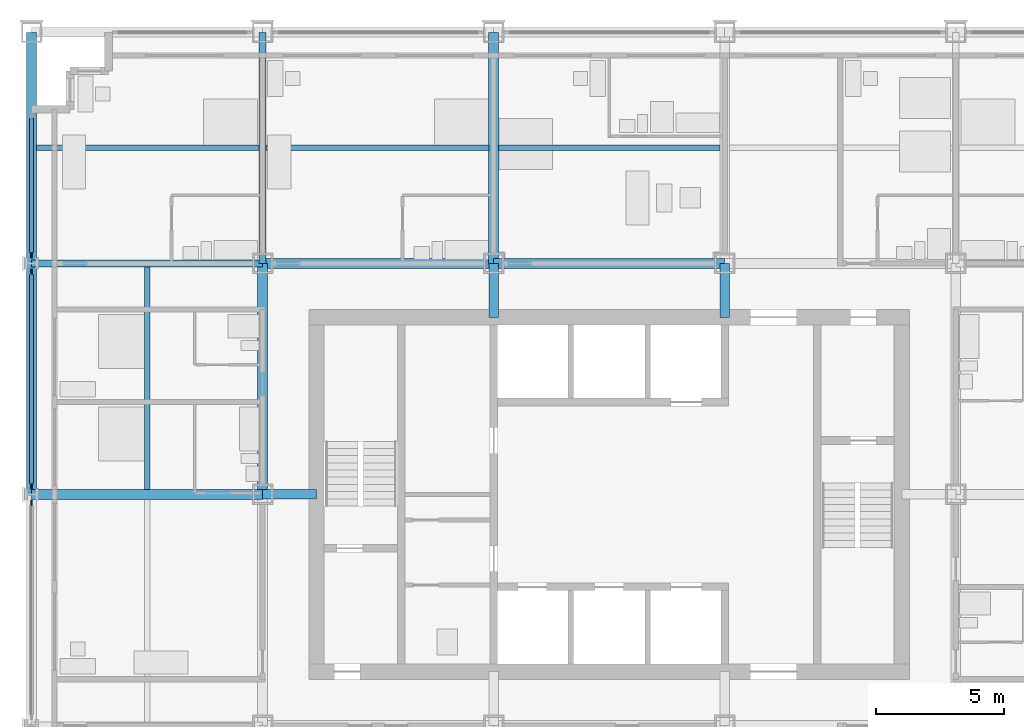
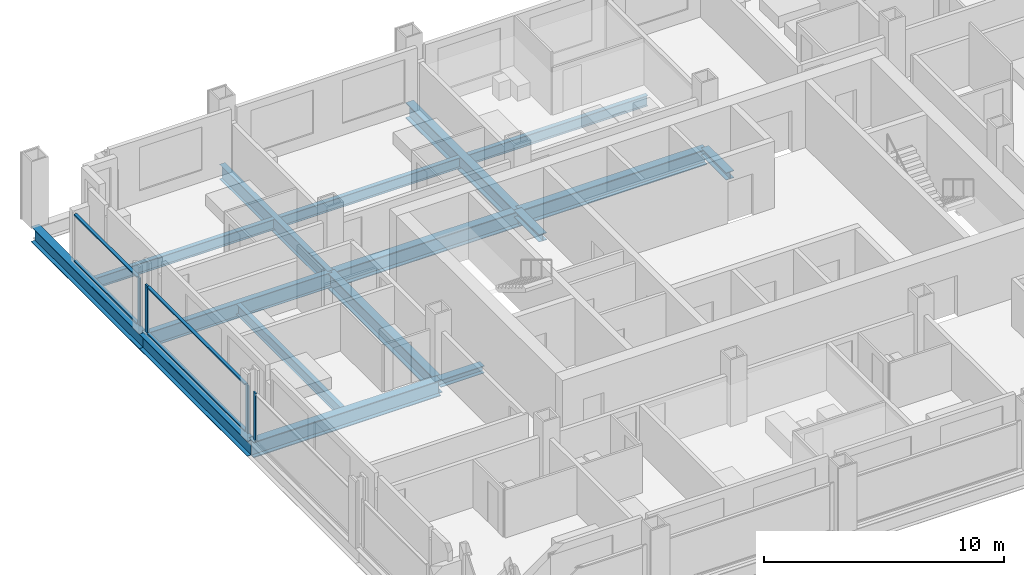
# One storey, part 4 of 16: 13 beams, 11 members, 3 elements without a shape of their own.
"""IFC4 building model written with IfcOpenShell, lengths in metres."""

import ifcopenshell
import ifcopenshell.guid

model = None  # the IFC model being written
_history = None  # IfcOwnerHistory: only IFC2X3 demands one
_inside = {}  # id of a spatial element -> (the spatial element, [elements in it])
_under = {}  # id of a project, library or spatial element -> (it, [spatial elements below it])
_declared = {}  # id of a project -> (the project, [libraries it declares])
_typed = {}  # id of a type object -> (the type object, [elements of that type])
_made_of = {}  # id of a material, layer set ... -> (it, [elements and type objects made of it])


def new_model(schema):
    """Start an empty IFC model of exactly this schema.

    Asked for "IFC4X3", IfcOpenShell would pick the latest addendum, in which some entities
    have other attributes; the version numbers below select the first issue.
    IFC2X3 requires an IfcOwnerHistory on every rooted entity: one is made here for all.
    """
    global model, _history
    if schema == "IFC4X3":
        model = ifcopenshell.file(schema_version=(4, 3, 0, 0))
    else:
        model = ifcopenshell.file(schema=schema)
    _inside.clear()
    _under.clear()
    _declared.clear()
    _typed.clear()
    _made_of.clear()
    _history = None
    if model.schema == "IFC2X3":
        org = make("IfcOrganization", Name="unknown")
        user = make(
            "IfcPersonAndOrganization",
            ThePerson=make("IfcPerson", FamilyName="unknown"),
            TheOrganization=org,
        )
        app = make(
            "IfcApplication",
            ApplicationDeveloper=org,
            Version="unknown",
            ApplicationFullName="unknown",
            ApplicationIdentifier="unknown",
        )
        _history = make(
            "IfcOwnerHistory",
            OwningUser=user,
            OwningApplication=app,
            ChangeAction="ADDED",
            CreationDate=0,
        )
    return model


def make(cls, **values):
    """One entity of the class cls with the attributes given. An attribute that is None is left unset."""
    return model.create_entity(
        cls, **{name: value for name, value in values.items() if value is not None}
    )


def rooted(cls, **values):
    """An entity with a GlobalId (a new one), such as an element, a storey or a relation."""
    return make(cls, GlobalId=ifcopenshell.guid.new(), OwnerHistory=_history, **values)


def si_unit(unit_type, name, prefix=None):
    """IfcSIUnit, for example si_unit("LENGTHUNIT", "METRE", prefix="MILLI")."""
    return make("IfcSIUnit", UnitType=unit_type, Prefix=prefix, Name=name)


def assignment(units):
    """IfcUnitAssignment: the units of a project."""
    return None if units is None else make("IfcUnitAssignment", Units=units)


def point(xyz):
    """IfcCartesianPoint."""
    return None if xyz is None else make("IfcCartesianPoint", Coordinates=xyz)


def direction(xyz):
    """IfcDirection."""
    return None if xyz is None else make("IfcDirection", DirectionRatios=xyz)


def frame(location, z_axis=None, x_axis=None):
    """IfcAxis2Placement3D, a coordinate frame: its origin and axes. An axis left out is left unset."""
    return make(
        "IfcAxis2Placement3D",
        Location=point(location),
        Axis=direction(z_axis),
        RefDirection=direction(x_axis),
    )


def frame_2d(location, x_axis=None):
    """IfcAxis2Placement2D, a coordinate frame in the plane: its origin and x axis."""
    return make(
        "IfcAxis2Placement2D", Location=point(location), RefDirection=direction(x_axis)
    )


def origin():
    """The frame at (0, 0, 0) with its axes left unset."""
    return frame((0.0, 0.0, 0.0))


def origin_2d():
    """The frame at (0, 0) in the plane with its x axis left unset."""
    return frame_2d((0.0, 0.0))


def place(relative_to, where):
    """IfcLocalPlacement: puts the frame where relative to a parent placement (None: the world)."""
    return make(
        "IfcLocalPlacement", PlacementRelTo=relative_to, RelativePlacement=where
    )


def context(
    kind, dimensions, precision=None, world=None, true_north=None, identifier=None
):
    """IfcGeometricRepresentationContext, for example the 3D "Model" context."""
    return make(
        "IfcGeometricRepresentationContext",
        ContextIdentifier=identifier,
        ContextType=kind,
        CoordinateSpaceDimension=dimensions,
        Precision=precision,
        WorldCoordinateSystem=world,
        TrueNorth=true_north,
    )


def subcontext(parent, identifier, kind, view, scale=None):
    """IfcGeometricRepresentationSubContext, for example "Body" below "Model"."""
    return make(
        "IfcGeometricRepresentationSubContext",
        ContextIdentifier=identifier,
        ContextType=kind,
        ParentContext=parent,
        TargetScale=scale,
        TargetView=view,
    )


def project(units=None, contexts=None):
    """IfcProject with its units and contexts."""
    return rooted(
        "IfcProject",
        Name="project",
        RepresentationContexts=contexts,
        UnitsInContext=assignment(units),
    )


def spatial(cls, under=None, at=None, **own):
    """A site, building, storey or space (cls), placed at a placement, below another one or the project."""
    s = rooted(cls, ObjectPlacement=at, **own)
    if under is not None:
        _under.setdefault(under.id(), (under, []))[1].append(s)
    return s


def profile(cls, at=None, kind="AREA", **sizes):
    """A parametric profile (cls). Its sizes go by their IFC names, for example OverallWidth=200.0."""
    return make(cls, ProfileType=kind, Position=at, **sizes)


def rectangle(**sizes):
    """IfcRectangleProfileDef."""
    return profile("IfcRectangleProfileDef", **sizes)


def i_section(**sizes):
    """IfcIShapeProfileDef."""
    return profile("IfcIShapeProfileDef", **sizes)


def extrude(swept, where, along, depth):
    """IfcExtrudedAreaSolid: the profile swept, set in the frame where, extruded along a direction by depth."""
    return make(
        "IfcExtrudedAreaSolid",
        SweptArea=swept,
        Position=where,
        ExtrudedDirection=direction(along),
        Depth=depth,
    )


def shape(context_of_items, identifier, shape_type, items):
    """IfcShapeRepresentation: the items that make up one representation, for example the "Body"."""
    return make(
        "IfcShapeRepresentation",
        ContextOfItems=context_of_items,
        RepresentationIdentifier=identifier,
        RepresentationType=shape_type,
        Items=items,
    )


def material(Name=None, Category=None):
    """IfcMaterial."""
    return make("IfcMaterial", Name=Name, Category=Category)


def material_profile(
    of_material, cross_section, Name=None, Category=None, Priority=None
):
    """IfcMaterialProfile: a cross section and its material."""
    return make(
        "IfcMaterialProfile",
        Name=Name,
        Material=of_material,
        Profile=cross_section,
        Priority=Priority,
        Category=Category,
    )


def profile_set(profiles, Name=None, composite=None):
    """IfcMaterialProfileSet."""
    return make(
        "IfcMaterialProfileSet",
        Name=Name,
        MaterialProfiles=profiles,
        CompositeProfile=composite,
    )


def made_of(thing, what):
    """Note that an element or type object is made of a material, layer set ...; save() writes the relation."""
    if what is not None:
        _made_of.setdefault(what.id(), (what, []))[1].append(thing)
    return thing


def type_object(cls, material=None, **own):
    """A type object (cls), such as IfcWallType, which elements share."""
    return made_of(rooted(cls, **own), material)


def element(
    cls,
    number,
    at=None,
    inside=None,
    cuts=None,
    type_object=None,
    material=None,
    context=None,
    identifier="Body",
    shape_type=None,
    held_by="IfcProductDefinitionShape",
    body=None,
    shapes=None,
    **own,
):
    """One element of the class cls, such as IfcWall. Its Tag is "e" and its number.

    at: its placement. inside: the storey or other place that contains it. cuts: it is an
    opening in that element (IfcRelVoidsElement). A single representation is given by context,
    identifier, shape_type and body (its items); several are given by shapes. held_by: the class
    of the entity that holds the representations. save() writes the other relations.
    """
    e = rooted(cls, Tag="e%d" % number, ObjectPlacement=at, **own)
    if body is not None:
        shapes = [shape(context, identifier, shape_type, body)]
    if shapes is not None:
        e.Representation = make(held_by, Representations=shapes)
    if inside is not None:
        _inside.setdefault(inside.id(), (inside, []))[1].append(e)
    if cuts is not None:
        rooted(
            "IfcRelVoidsElement", RelatingBuildingElement=cuts, RelatedOpeningElement=e
        )
    if type_object is not None:
        _typed.setdefault(type_object.id(), (type_object, []))[1].append(e)
    return made_of(e, material)


def aggregate(whole, parts):
    """IfcRelAggregates: a whole, such as a stair, and the parts it consists of."""
    return rooted("IfcRelAggregates", RelatingObject=whole, RelatedObjects=parts)


def save(model, path):
    """Write the relations noted so far, then the file.

    IfcRelAggregates (storeys below a building ...), IfcRelContainedInSpatialStructure (elements
    in a storey), IfcRelDefinesByType, IfcRelAssociatesMaterial and IfcRelDeclares: one each for
    every whole, place, type object, material and project.
    """
    for whole, parts in _under.values():
        aggregate(whole, parts)
    for where, things in _inside.values():
        rooted(
            "IfcRelContainedInSpatialStructure",
            RelatedElements=things,
            RelatingStructure=where,
        )
    for kind, things in _typed.values():
        rooted("IfcRelDefinesByType", RelatedObjects=things, RelatingType=kind)
    for what, things in _made_of.values():
        rooted("IfcRelAssociatesMaterial", RelatedObjects=things, RelatingMaterial=what)
    for by, libraries in _declared.values():
        rooted("IfcRelDeclares", RelatingContext=by, RelatedDefinitions=libraries)
    model.write(path)


model = new_model("IFC4")

# Units and contexts
model_context = context("Model", 3, precision=1e-05, world=origin(), true_north=direction((0.0, 1.0)))
body_context = subcontext(model_context, "Body", "Model", "MODEL_VIEW")
ifc_project = project(units=[si_unit("LENGTHUNIT", "METRE"), si_unit("AREAUNIT", "SQUARE_METRE"), si_unit("VOLUMEUNIT", "CUBIC_METRE"), si_unit("PLANEANGLEUNIT", "RADIAN"), si_unit("MASSUNIT", "GRAM", prefix="KILO")], contexts=[model_context])

# Site, building, storey
site_placement = place(None, origin())
site = spatial("IfcSite", under=ifc_project, at=site_placement, CompositionType="ELEMENT")
building_placement = place(site_placement, origin())
building = spatial("IfcBuilding", under=site, at=building_placement, Name="Loomwork Tower", CompositionType="ELEMENT")
storey_placement = place(building_placement, frame((0.0, 0.0, 121.39990234375)))
storey = spatial("IfcBuildingStorey", under=building, at=storey_placement, Name="L32", CompositionType="ELEMENT", Elevation=121.39990234375)

# Beams
ifc_material_1 = material(Name="Steel ASTM A992", Category="steel")
ifc_material_profile_1 = material_profile(ifc_material_1, i_section(OverallWidth=0.383544921875, OverallDepth=0.794921875, WebThickness=0.02099609375, FlangeThickness=0.0380859375, at=origin_2d()), Name="W30x235")
ifc_profile_set_1 = profile_set([ifc_material_profile_1], Name="Steel ASTM A992")
beam_type_1 = type_object("IfcBeamType", Name="CORE FLANK GIRDER W30x235", PredefinedType="BEAM", material=ifc_profile_set_1)
for number, where, z_axis, x_axis, name in (
    (1, (0.0, 18.0, -0.597412109375), (1.0, 0.0, 0.0), (0.0, 1.0, 0.0), "Core Flank Girder F/2-F/3 L32"),
    (2, (9.0, 27.0, -0.597412109375), (1.0, 0.0, 0.0), (0.0, 1.0, 0.0), "Core Flank Girder G/3-G/4 L32"),
    (3, (18.0, 27.0, -0.597412109375), (1.0, 0.0, 0.0), (0.0, 1.0, 0.0), "Core Flank Girder G/4-G/5 L32"),
    (4, (9.0, 18.0, -0.597412109375), (0.0, 1.0, 0.0), (-1.0, 0.0, 0.0), "Core Flank Girder F/3-G/3 L32"),
    (5, (18.0, 27.0, -0.597412109375), (0.0, 1.0, 0.0), (-1.0, 0.0, 0.0), "Core Flank Girder G/4-H/4 L32"),
):
    element("IfcBeam", number, at=place(storey_placement, frame(where, z_axis=z_axis, x_axis=x_axis)), inside=storey, type_object=beam_type_1, Name=name, PredefinedType="BEAM", context=body_context, shape_type="SweptSolid", body=[
        extrude(i_section(OverallWidth=0.383544921875, OverallDepth=0.794921875, WebThickness=0.02099609375, FlangeThickness=0.0380859375, at=origin_2d()), origin(), (0.0, 0.0, 1.0), 9.0),
    ])

# Members
ifc_material_2 = material(Name="Steel ASTM A992", Category="steel")
ifc_material_profile_2 = material_profile(ifc_material_2, i_section(OverallWidth=0.373291015625, OverallDepth=0.373291015625, WebThickness=0.016357421875, FlangeThickness=0.026123046875, at=origin_2d()), Name="W14x132")
ifc_profile_set_2 = profile_set([ifc_material_profile_2], Name="Steel ASTM A992")
member_type_1 = type_object("IfcMemberType", Name="CORE LINK STRUT W14x132", PredefinedType="STRUT", material=ifc_profile_set_2)
for number, where, z_axis, x_axis, name in (
    (6, (27.0, 27.0, -0.386474609375), (0.0, -1.0, 0.0), (1.0, 0.0, 0.0), "Core link strut G/5-27.000,24.900 L32"),
    (7, (18.0, 27.0, -0.386474609375), (0.0, -1.0, 0.0), (1.0, 0.0, 0.0), "Core link strut G/4-18.000,24.900 L32"),
    (8, (9.0, 18.0, -0.386474609375), (1.0, 0.0, 0.0), (0.0, 1.0, 0.0), "Core link strut F/3-11.100,18.000 L32"),
):
    element("IfcMember", number, at=place(storey_placement, frame(where, z_axis=z_axis, x_axis=x_axis)), inside=storey, type_object=member_type_1, Name=name, PredefinedType="STRUT", context=body_context, shape_type="SweptSolid", body=[
        extrude(i_section(OverallWidth=0.373291015625, OverallDepth=0.373291015625, WebThickness=0.016357421875, FlangeThickness=0.026123046875, at=origin_2d()), origin(), (0.0, 0.0, 1.0), 2.10009765625),
    ])

# Beams
ifc_material_3 = material(Name="Steel ASTM A992", Category="steel")
ifc_material_profile_3 = material_profile(ifc_material_3, i_section(OverallWidth=0.2666015625, OverallDepth=0.761962890625, WebThickness=0.014404296875, FlangeThickness=0.021484375, at=origin_2d()), Name="W30x116")
ifc_profile_set_3 = profile_set([ifc_material_profile_3], Name="Steel ASTM A992")
beam_type_2 = type_object("IfcBeamType", Name="FLOOR GIRDER W30x116", PredefinedType="BEAM", material=ifc_profile_set_3)
for number, where, z_axis, x_axis, name in (
    (9, (0.0, 27.0, -0.580810546875), (1.0, 0.0, 0.0), (0.0, 1.0, 0.0), "Floor Girder G/2-G/3 L32"),
    (10, (9.0, 27.0, -0.580810546875), (0.0, 1.0, 0.0), (-1.0, 0.0, 0.0), "Floor Girder G/3-H/3 L32"),
):
    element("IfcBeam", number, at=place(storey_placement, frame(where, z_axis=z_axis, x_axis=x_axis)), inside=storey, type_object=beam_type_2, Name=name, PredefinedType="BEAM", context=body_context, shape_type="SweptSolid", body=[
        extrude(i_section(OverallWidth=0.2666015625, OverallDepth=0.761962890625, WebThickness=0.014404296875, FlangeThickness=0.021484375, at=origin_2d()), origin(), (0.0, 0.0, 1.0), 9.0),
    ])
ifc_material_4 = material(Name="Steel ASTM A992", Category="steel")
ifc_material_profile_4 = material_profile(ifc_material_4, i_section(OverallWidth=0.2109375, OverallDepth=0.53857421875, WebThickness=0.011474609375, FlangeThickness=0.018798828125, at=origin_2d()), Name="W21x73")
ifc_profile_set_4 = profile_set([ifc_material_profile_4], Name="Steel ASTM A992")
beam_type_3 = type_object("IfcBeamType", Name="FLOOR JOIST W21x73", PredefinedType="JOIST", material=ifc_profile_set_4)
beam_1_placement = place(storey_placement, frame((4.5, 18.19091796875, -0.46923828125), z_axis=(0.0, 1.0, 0.0), x_axis=(-1.0, 0.0, 0.0)))
element("IfcBeam", 11, at=beam_1_placement, inside=storey, type_object=beam_type_3, Name="Floor Joist 4.500,18.000-4.500,27.000 L32", PredefinedType="JOIST", context=body_context, shape_type="SweptSolid", body=[
    extrude(i_section(OverallWidth=0.2109375, OverallDepth=0.53857421875, WebThickness=0.011474609375, FlangeThickness=0.018798828125, at=origin_2d()), origin(), (0.0, 0.0, 1.0), 8.676025390625),
])
beam_2_placement = place(storey_placement, frame((0.18994140625, 31.5, -0.46923828125), z_axis=(1.0, 0.0, 0.0), x_axis=(0.0, 1.0, 0.0)))
element("IfcBeam", 12, at=beam_2_placement, inside=storey, type_object=beam_type_3, Name="Floor Joist 0.000,31.500-9.000,31.500 L32", PredefinedType="JOIST", context=body_context, shape_type="SweptSolid", body=[
    extrude(i_section(OverallWidth=0.2109375, OverallDepth=0.53857421875, WebThickness=0.011474609375, FlangeThickness=0.018798828125, at=origin_2d()), origin(), (0.0, 0.0, 1.0), 8.677001953125),
])
beam_3_placement = place(storey_placement, frame((9.133056640625, 31.5, -0.46923828125), z_axis=(1.0, 0.0, 0.0), x_axis=(0.0, 1.0, 0.0)))
element("IfcBeam", 13, at=beam_3_placement, inside=storey, type_object=beam_type_3, Name="Floor Joist 9.000,31.500-18.000,31.500 L32", PredefinedType="JOIST", context=body_context, shape_type="SweptSolid", body=[
    extrude(i_section(OverallWidth=0.2109375, OverallDepth=0.53857421875, WebThickness=0.011474609375, FlangeThickness=0.018798828125, at=origin_2d()), origin(), (0.0, 0.0, 1.0), 8.676025390625),
])
beam_4_placement = place(storey_placement, frame((18.19091796875, 31.5, -0.46923828125), z_axis=(1.0, 0.0, 0.0), x_axis=(0.0, 1.0, 0.0)))
element("IfcBeam", 14, at=beam_4_placement, inside=storey, type_object=beam_type_3, Name="Floor Joist 18.000,31.500-27.000,31.500 L32", PredefinedType="JOIST", context=body_context, shape_type="SweptSolid", body=[
    extrude(i_section(OverallWidth=0.2109375, OverallDepth=0.53857421875, WebThickness=0.011474609375, FlangeThickness=0.018798828125, at=origin_2d()), origin(), (0.0, 0.0, 1.0), 8.6181640625),
])

# Curtain wall, member
ifc_material_5 = material(Name="Aluminium curtain wall frame", Category="aluminium")
curtain_wall_type = type_object("IfcCurtainWallType", Name="Outer skin glazing hotel", PredefinedType="NOTDEFINED", material=ifc_material_5)
curtain_wall_1_placement = place(storey_placement, origin())
curtain_wall_1 = element("IfcCurtainWall", 15, at=curtain_wall_1_placement, inside=storey, type_object=curtain_wall_type, Name="Outer skin glazing hotel cw/W-9", PredefinedType="NOTDEFINED")
ifc_material_6 = material(Name="Aluminium curtain wall frame", Category="aluminium")
ifc_material_profile_5 = material_profile(ifc_material_6, rectangle(XDim=0.06494140625, YDim=0.199951171875, at=origin_2d()), Name="AL 65x200")
ifc_profile_set_5 = profile_set([ifc_material_profile_5], Name="Aluminium curtain wall frame")
member_type_2 = type_object("IfcMemberType", Name="Outer skin glazing hotel mullion", PredefinedType="MULLION", material=ifc_profile_set_5)
member_1_placement = place(storey_placement, frame((0.0, 17.67529296875, 0.0), z_axis=(0.0, 0.0, 1.0), x_axis=(1.0, 0.0, 0.0)))
member_1 = element("IfcMember", 16, at=member_1_placement, type_object=member_type_2, Name="CW1 mullion 1", PredefinedType="MULLION", context=body_context, shape_type="SweptSolid", body=[
    extrude(rectangle(XDim=0.06494140625, YDim=0.199951171875, at=origin_2d()), origin(), (0.0, 0.0, 1.0), 2.42041015625),
])
aggregate(curtain_wall_1, [member_1])

# Curtain wall, members
curtain_wall_2_placement = place(storey_placement, origin())
curtain_wall_2 = element("IfcCurtainWall", 17, at=curtain_wall_2_placement, inside=storey, type_object=curtain_wall_type, Name="Outer skin glazing hotel cw/W-18", PredefinedType="NOTDEFINED")
member_2_placement = place(storey_placement, frame((0.0, 26.67529296875, 0.0), z_axis=(0.0, 0.0, 1.0), x_axis=(1.0, 0.0, 0.0)))
member_2 = element("IfcMember", 18, at=member_2_placement, type_object=member_type_2, Name="CW1 mullion 1", PredefinedType="MULLION", context=body_context, shape_type="SweptSolid", body=[
    extrude(rectangle(XDim=0.06494140625, YDim=0.199951171875, at=origin_2d()), origin(), (0.0, 0.0, 1.0), 2.42041015625),
])
member_3_placement = place(storey_placement, frame((0.0, 18.32470703125, 0.0), z_axis=(0.0, 0.0, 1.0), x_axis=(1.0, 0.0, 0.0)))
member_3 = element("IfcMember", 19, at=member_3_placement, type_object=member_type_2, Name="CW1 mullion 2", PredefinedType="MULLION", context=body_context, shape_type="SweptSolid", body=[
    extrude(rectangle(XDim=0.06494140625, YDim=0.199951171875, at=origin_2d()), origin(), (0.0, 0.0, 1.0), 2.42041015625),
])

# Curtain wall, member
curtain_wall_3_placement = place(storey_placement, origin())
curtain_wall_3 = element("IfcCurtainWall", 20, at=curtain_wall_3_placement, inside=storey, type_object=curtain_wall_type, Name="Outer skin glazing hotel cw/W-27", PredefinedType="NOTDEFINED")
member_4_placement = place(storey_placement, frame((0.0, 27.32470703125, 0.0), z_axis=(0.0, 0.0, 1.0), x_axis=(1.0, 0.0, 0.0)))
member_4 = element("IfcMember", 21, at=member_4_placement, type_object=member_type_2, Name="CW1 mullion 2", PredefinedType="MULLION", context=body_context, shape_type="SweptSolid", body=[
    extrude(rectangle(XDim=0.06494140625, YDim=0.199951171875, at=origin_2d()), origin(), (0.0, 0.0, 1.0), 2.42041015625),
])

# Member
ifc_material_7 = material(Name="Aluminium curtain wall frame", Category="aluminium")
ifc_material_profile_6 = material_profile(ifc_material_7, rectangle(XDim=0.14990234375, YDim=0.06494140625, at=origin_2d()), Name="AL 65x150")
ifc_profile_set_6 = profile_set([ifc_material_profile_6], Name="Aluminium curtain wall frame")
member_type_3 = type_object("IfcMemberType", Name="Outer skin glazing hotel transom", PredefinedType="USERDEFINED", material=ifc_profile_set_6)
member_5_placement = place(storey_placement, frame((0.0, 26.5751953125, 0.03271484375), z_axis=(0.0, -1.0, 0.0), x_axis=(1.0, 0.0, 0.0)))
member_5 = element("IfcMember", 22, at=member_5_placement, type_object=member_type_3, Name="CW1 transom 1.1", ObjectType="TRANSOM", PredefinedType="USERDEFINED", context=body_context, shape_type="SweptSolid", body=[
    extrude(rectangle(XDim=0.14990234375, YDim=0.06494140625, at=origin_2d()), origin(), (0.0, 0.0, 1.0), 8.150390625),
])

member_6_placement = place(storey_placement, frame((0.0, 26.5751953125, 2.3876953125), z_axis=(0.0, -1.0, 0.0), x_axis=(1.0, 0.0, 0.0)))
member_6 = element("IfcMember", 23, at=member_6_placement, type_object=member_type_3, Name="CW1 transom 1.2", ObjectType="TRANSOM", PredefinedType="USERDEFINED", context=body_context, shape_type="SweptSolid", body=[
    extrude(rectangle(XDim=0.14990234375, YDim=0.06494140625, at=origin_2d()), origin(), (0.0, 0.0, 1.0), 8.150390625),
])

aggregate(curtain_wall_2, [member_2, member_3, member_5, member_6])

member_7_placement = place(storey_placement, frame((0.0, 32.64990234375, 0.03271484375), z_axis=(0.0, -1.0, 0.0), x_axis=(1.0, 0.0, 0.0)))
member_7 = element("IfcMember", 24, at=member_7_placement, type_object=member_type_3, Name="CW1 transom 1.1", ObjectType="TRANSOM", PredefinedType="USERDEFINED", context=body_context, shape_type="SweptSolid", body=[
    extrude(rectangle(XDim=0.14990234375, YDim=0.06494140625, at=origin_2d()), origin(), (0.0, 0.0, 1.0), 5.22509765625),
])

member_8_placement = place(storey_placement, frame((0.0, 32.64990234375, 2.3876953125), z_axis=(0.0, -1.0, 0.0), x_axis=(1.0, 0.0, 0.0)))
member_8 = element("IfcMember", 25, at=member_8_placement, type_object=member_type_3, Name="CW1 transom 1.2", ObjectType="TRANSOM", PredefinedType="USERDEFINED", context=body_context, shape_type="SweptSolid", body=[
    extrude(rectangle(XDim=0.14990234375, YDim=0.06494140625, at=origin_2d()), origin(), (0.0, 0.0, 1.0), 5.22509765625),
])

aggregate(curtain_wall_3, [member_4, member_7, member_8])

# Beams
ifc_material_8 = material(Name="Steel ASTM A992", Category="steel")
ifc_material_profile_7 = material_profile(ifc_material_8, i_section(OverallWidth=0.381103515625, OverallDepth=0.77978515625, WebThickness=0.01806640625, FlangeThickness=0.0302734375, at=origin_2d()), Name="W30x191")
ifc_profile_set_7 = profile_set([ifc_material_profile_7], Name="Steel ASTM A992")
beam_type_4 = type_object("IfcBeamType", Name="SPANDREL GIRDER W30x191", PredefinedType="SPANDREL", material=ifc_profile_set_7)
for number, where, z_axis, x_axis, name in (
    (26, (0.0, 18.0, -0.58984375), (0.0, 1.0, 0.0), (-1.0, 0.0, 0.0), "Spandrel Girder F/2-G/2 L32"),
    (27, (0.0, 27.0, -0.58984375), (0.0, 1.0, 0.0), (-1.0, 0.0, 0.0), "Spandrel Girder G/2-H/2 L32"),
):
    element("IfcBeam", number, at=place(storey_placement, frame(where, z_axis=z_axis, x_axis=x_axis)), inside=storey, type_object=beam_type_4, Name=name, PredefinedType="SPANDREL", context=body_context, shape_type="SweptSolid", body=[
        extrude(i_section(OverallWidth=0.381103515625, OverallDepth=0.77978515625, WebThickness=0.01806640625, FlangeThickness=0.0302734375, at=origin_2d()), origin(), (0.0, 0.0, 1.0), 9.0),
    ])

save(model, "model.ifc")
